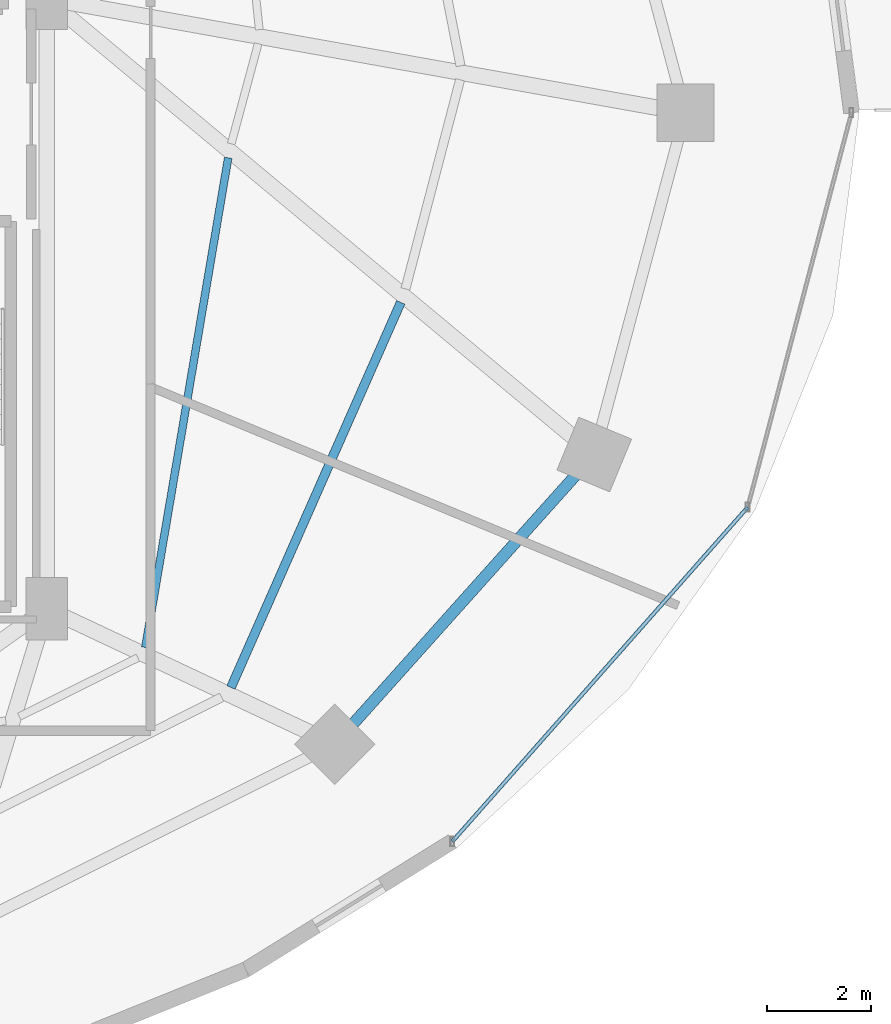
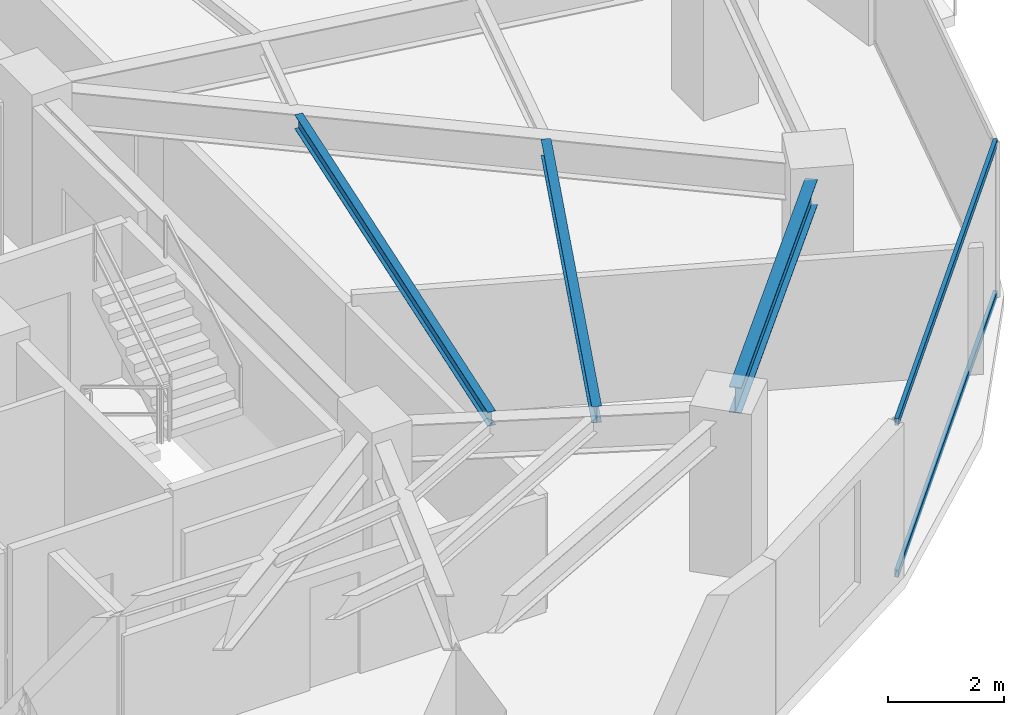
# One storey, part 13 of 29: 3 beams, 2 members, 1 element without a shape of its own.
"""IFC4 building model written with IfcOpenShell, lengths in metres."""

import ifcopenshell
import ifcopenshell.guid

model = None  # the IFC model being written
_history = None  # IfcOwnerHistory: only IFC2X3 demands one
_inside = {}  # id of a spatial element -> (the spatial element, [elements in it])
_under = {}  # id of a project, library or spatial element -> (it, [spatial elements below it])
_declared = {}  # id of a project -> (the project, [libraries it declares])
_typed = {}  # id of a type object -> (the type object, [elements of that type])
_made_of = {}  # id of a material, layer set ... -> (it, [elements and type objects made of it])


def new_model(schema):
    """Start an empty IFC model of exactly this schema.

    Asked for "IFC4X3", IfcOpenShell would pick the latest addendum, in which some entities
    have other attributes; the version numbers below select the first issue.
    IFC2X3 requires an IfcOwnerHistory on every rooted entity: one is made here for all.
    """
    global model, _history
    if schema == "IFC4X3":
        model = ifcopenshell.file(schema_version=(4, 3, 0, 0))
    else:
        model = ifcopenshell.file(schema=schema)
    _inside.clear()
    _under.clear()
    _declared.clear()
    _typed.clear()
    _made_of.clear()
    _history = None
    if model.schema == "IFC2X3":
        org = make("IfcOrganization", Name="unknown")
        user = make(
            "IfcPersonAndOrganization",
            ThePerson=make("IfcPerson", FamilyName="unknown"),
            TheOrganization=org,
        )
        app = make(
            "IfcApplication",
            ApplicationDeveloper=org,
            Version="unknown",
            ApplicationFullName="unknown",
            ApplicationIdentifier="unknown",
        )
        _history = make(
            "IfcOwnerHistory",
            OwningUser=user,
            OwningApplication=app,
            ChangeAction="ADDED",
            CreationDate=0,
        )
    return model


def make(cls, **values):
    """One entity of the class cls with the attributes given. An attribute that is None is left unset."""
    return model.create_entity(
        cls, **{name: value for name, value in values.items() if value is not None}
    )


def rooted(cls, **values):
    """An entity with a GlobalId (a new one), such as an element, a storey or a relation."""
    return make(cls, GlobalId=ifcopenshell.guid.new(), OwnerHistory=_history, **values)


def si_unit(unit_type, name, prefix=None):
    """IfcSIUnit, for example si_unit("LENGTHUNIT", "METRE", prefix="MILLI")."""
    return make("IfcSIUnit", UnitType=unit_type, Prefix=prefix, Name=name)


def assignment(units):
    """IfcUnitAssignment: the units of a project."""
    return None if units is None else make("IfcUnitAssignment", Units=units)


def point(xyz):
    """IfcCartesianPoint."""
    return None if xyz is None else make("IfcCartesianPoint", Coordinates=xyz)


def direction(xyz):
    """IfcDirection."""
    return None if xyz is None else make("IfcDirection", DirectionRatios=xyz)


def frame(location, z_axis=None, x_axis=None):
    """IfcAxis2Placement3D, a coordinate frame: its origin and axes. An axis left out is left unset."""
    return make(
        "IfcAxis2Placement3D",
        Location=point(location),
        Axis=direction(z_axis),
        RefDirection=direction(x_axis),
    )


def frame_2d(location, x_axis=None):
    """IfcAxis2Placement2D, a coordinate frame in the plane: its origin and x axis."""
    return make(
        "IfcAxis2Placement2D", Location=point(location), RefDirection=direction(x_axis)
    )


def origin():
    """The frame at (0, 0, 0) with its axes left unset."""
    return frame((0.0, 0.0, 0.0))


def origin_2d():
    """The frame at (0, 0) in the plane with its x axis left unset."""
    return frame_2d((0.0, 0.0))


def place(relative_to, where):
    """IfcLocalPlacement: puts the frame where relative to a parent placement (None: the world)."""
    return make(
        "IfcLocalPlacement", PlacementRelTo=relative_to, RelativePlacement=where
    )


def context(
    kind, dimensions, precision=None, world=None, true_north=None, identifier=None
):
    """IfcGeometricRepresentationContext, for example the 3D "Model" context."""
    return make(
        "IfcGeometricRepresentationContext",
        ContextIdentifier=identifier,
        ContextType=kind,
        CoordinateSpaceDimension=dimensions,
        Precision=precision,
        WorldCoordinateSystem=world,
        TrueNorth=true_north,
    )


def subcontext(parent, identifier, kind, view, scale=None):
    """IfcGeometricRepresentationSubContext, for example "Body" below "Model"."""
    return make(
        "IfcGeometricRepresentationSubContext",
        ContextIdentifier=identifier,
        ContextType=kind,
        ParentContext=parent,
        TargetScale=scale,
        TargetView=view,
    )


def project(units=None, contexts=None):
    """IfcProject with its units and contexts."""
    return rooted(
        "IfcProject",
        Name="project",
        RepresentationContexts=contexts,
        UnitsInContext=assignment(units),
    )


def spatial(cls, under=None, at=None, **own):
    """A site, building, storey or space (cls), placed at a placement, below another one or the project."""
    s = rooted(cls, ObjectPlacement=at, **own)
    if under is not None:
        _under.setdefault(under.id(), (under, []))[1].append(s)
    return s


def profile(cls, at=None, kind="AREA", **sizes):
    """A parametric profile (cls). Its sizes go by their IFC names, for example OverallWidth=200.0."""
    return make(cls, ProfileType=kind, Position=at, **sizes)


def hollow_rectangle(**sizes):
    """IfcRectangleHollowProfileDef."""
    return profile("IfcRectangleHollowProfileDef", **sizes)


def i_section(**sizes):
    """IfcIShapeProfileDef."""
    return profile("IfcIShapeProfileDef", **sizes)


def extrude(swept, where, along, depth):
    """IfcExtrudedAreaSolid: the profile swept, set in the frame where, extruded along a direction by depth."""
    return make(
        "IfcExtrudedAreaSolid",
        SweptArea=swept,
        Position=where,
        ExtrudedDirection=direction(along),
        Depth=depth,
    )


def shape(context_of_items, identifier, shape_type, items):
    """IfcShapeRepresentation: the items that make up one representation, for example the "Body"."""
    return make(
        "IfcShapeRepresentation",
        ContextOfItems=context_of_items,
        RepresentationIdentifier=identifier,
        RepresentationType=shape_type,
        Items=items,
    )


def material(Name=None, Category=None):
    """IfcMaterial."""
    return make("IfcMaterial", Name=Name, Category=Category)


def material_profile(
    of_material, cross_section, Name=None, Category=None, Priority=None
):
    """IfcMaterialProfile: a cross section and its material."""
    return make(
        "IfcMaterialProfile",
        Name=Name,
        Material=of_material,
        Profile=cross_section,
        Priority=Priority,
        Category=Category,
    )


def profile_set(profiles, Name=None, composite=None):
    """IfcMaterialProfileSet."""
    return make(
        "IfcMaterialProfileSet",
        Name=Name,
        MaterialProfiles=profiles,
        CompositeProfile=composite,
    )


def made_of(thing, what):
    """Note that an element or type object is made of a material, layer set ...; save() writes the relation."""
    if what is not None:
        _made_of.setdefault(what.id(), (what, []))[1].append(thing)
    return thing


def type_object(cls, material=None, **own):
    """A type object (cls), such as IfcWallType, which elements share."""
    return made_of(rooted(cls, **own), material)


def element(
    cls,
    number,
    at=None,
    inside=None,
    cuts=None,
    type_object=None,
    material=None,
    context=None,
    identifier="Body",
    shape_type=None,
    held_by="IfcProductDefinitionShape",
    body=None,
    shapes=None,
    **own,
):
    """One element of the class cls, such as IfcWall. Its Tag is "e" and its number.

    at: its placement. inside: the storey or other place that contains it. cuts: it is an
    opening in that element (IfcRelVoidsElement). A single representation is given by context,
    identifier, shape_type and body (its items); several are given by shapes. held_by: the class
    of the entity that holds the representations. save() writes the other relations.
    """
    e = rooted(cls, Tag="e%d" % number, ObjectPlacement=at, **own)
    if body is not None:
        shapes = [shape(context, identifier, shape_type, body)]
    if shapes is not None:
        e.Representation = make(held_by, Representations=shapes)
    if inside is not None:
        _inside.setdefault(inside.id(), (inside, []))[1].append(e)
    if cuts is not None:
        rooted(
            "IfcRelVoidsElement", RelatingBuildingElement=cuts, RelatedOpeningElement=e
        )
    if type_object is not None:
        _typed.setdefault(type_object.id(), (type_object, []))[1].append(e)
    return made_of(e, material)


def aggregate(whole, parts):
    """IfcRelAggregates: a whole, such as a stair, and the parts it consists of."""
    return rooted("IfcRelAggregates", RelatingObject=whole, RelatedObjects=parts)


def save(model, path):
    """Write the relations noted so far, then the file.

    IfcRelAggregates (storeys below a building ...), IfcRelContainedInSpatialStructure (elements
    in a storey), IfcRelDefinesByType, IfcRelAssociatesMaterial and IfcRelDeclares: one each for
    every whole, place, type object, material and project.
    """
    for whole, parts in _under.values():
        aggregate(whole, parts)
    for where, things in _inside.values():
        rooted(
            "IfcRelContainedInSpatialStructure",
            RelatedElements=things,
            RelatingStructure=where,
        )
    for kind, things in _typed.values():
        rooted("IfcRelDefinesByType", RelatedObjects=things, RelatingType=kind)
    for what, things in _made_of.values():
        rooted("IfcRelAssociatesMaterial", RelatedObjects=things, RelatingMaterial=what)
    for by, libraries in _declared.values():
        rooted("IfcRelDeclares", RelatingContext=by, RelatedDefinitions=libraries)
    model.write(path)


model = new_model("IFC4")

# Units and contexts
model_context = context("Model", 3, precision=1e-05, world=origin(), true_north=direction((0.0, 1.0)))
body_context = subcontext(model_context, "Body", "Model", "MODEL_VIEW")
ifc_project = project(units=[si_unit("LENGTHUNIT", "METRE"), si_unit("AREAUNIT", "SQUARE_METRE"), si_unit("VOLUMEUNIT", "CUBIC_METRE"), si_unit("PLANEANGLEUNIT", "RADIAN"), si_unit("MASSUNIT", "GRAM", prefix="KILO")], contexts=[model_context])

# Site, building, storey
site_placement = place(None, origin())
site = spatial("IfcSite", under=ifc_project, at=site_placement, CompositionType="ELEMENT")
building_placement = place(site_placement, origin())
building = spatial("IfcBuilding", under=site, at=building_placement, Name="Vorneva Point Tower", CompositionType="ELEMENT")
storey_placement = place(building_placement, frame((0.0, 0.0, 82.300048828125)))
storey = spatial("IfcBuildingStorey", under=building, at=storey_placement, Name="L21", CompositionType="ELEMENT", Elevation=82.300048828125)

# Beams
ifc_material_1 = material(Name="Steel S355", Category="steel")
ifc_material_profile_1 = material_profile(ifc_material_1, i_section(OverallWidth=0.14892578125, OverallDepth=0.298095703125, WebThickness=0.005615234375, FlangeThickness=0.008056640625, at=origin_2d()), Name="30B1")
ifc_profile_set_1 = profile_set([ifc_material_profile_1], Name="Steel S355")
beam_type_1 = type_object("IfcBeamType", Name="BM-JST-30B1", PredefinedType="JOIST", material=ifc_profile_set_1)
beam_1_placement = place(storey_placement, frame((50.649658203125, 15.70263671875, 3.091064453125), z_axis=(0.16685295919, 0.985981789897, 0.0), x_axis=(-0.985981789897, 0.16685295919, 0.0)))
element("IfcBeam", 1, at=beam_1_placement, inside=storey, type_object=beam_type_1, Name="L21 Secondary Floor Beam 2.15", PredefinedType="JOIST", context=body_context, shape_type="SweptSolid", body=[
    extrude(i_section(OverallWidth=0.14892578125, OverallDepth=0.298095703125, WebThickness=0.005615234375, FlangeThickness=0.008056640625, at=origin_2d()), origin(), (0.0, 0.0, 1.0), 9.56494140625),
])
ifc_material_profile_2 = material_profile(ifc_material_1, i_section(OverallWidth=0.174072265625, OverallDepth=0.345947265625, WebThickness=0.006103515625, FlangeThickness=0.009033203125, at=origin_2d()), Name="35B1")
ifc_profile_set_2 = profile_set([ifc_material_profile_2], Name="Steel S355")
beam_type_2 = type_object("IfcBeamType", Name="BM-SEC-35B1", PredefinedType="BEAM", material=ifc_profile_set_2)
beam_2_placement = place(storey_placement, frame((52.298583984375, 14.931884765625, 3.06689453125), z_axis=(0.403487441762, 0.91498518258, 0.0), x_axis=(-0.91498518258, 0.403487441762, 0.0)))
element("IfcBeam", 2, at=beam_2_placement, inside=storey, type_object=beam_type_2, Name="L21 Secondary Floor Beam 1.15", PredefinedType="BEAM", context=body_context, shape_type="SweptSolid", body=[
    extrude(i_section(OverallWidth=0.174072265625, OverallDepth=0.345947265625, WebThickness=0.006103515625, FlangeThickness=0.009033203125, at=origin_2d()), origin(), (0.0, 0.0, 1.0), 8.105712890625),
])
ifc_material_profile_3 = material_profile(ifc_material_1, i_section(OverallWidth=0.219970703125, OverallDepth=0.54296875, WebThickness=0.009521484375, FlangeThickness=0.013427734375, at=origin_2d()), Name="55B1")
ifc_profile_set_3 = profile_set([ifc_material_profile_3], Name="Steel S355")
beam_type_3 = type_object("IfcBeamType", Name="BM-SPN-55B1", PredefinedType="SPANDREL", material=ifc_profile_set_3)
beam_3_placement = place(storey_placement, frame((54.65576171875, 14.236328125, 2.968505859375), z_axis=(0.667073815664, 0.744991627105, 0.0), x_axis=(-0.744991627105, 0.667073815664, 0.0)))
element("IfcBeam", 3, at=beam_3_placement, inside=storey, type_object=beam_type_3, Name="L21 Perimeter Spandrel Ring Beam 15", PredefinedType="SPANDREL", context=body_context, shape_type="SweptSolid", body=[
    extrude(i_section(OverallWidth=0.219970703125, OverallDepth=0.54296875, WebThickness=0.009521484375, FlangeThickness=0.013427734375, at=origin_2d()), origin(), (0.0, 0.0, 1.0), 6.420166015625),
])

# Curtain wall, members
ifc_material_2 = material(Name="Pale anodised aluminium", Category="aluminium")
curtain_wall_type = type_object("IfcCurtainWallType", Name="CW-HTL-SYS", PredefinedType="NOTDEFINED", material=ifc_material_2)
curtain_wall_placement = place(storey_placement, origin())
curtain_wall = element("IfcCurtainWall", 4, at=curtain_wall_placement, inside=storey, type_object=curtain_wall_type, Name="L21 Unitised Curtain Wall CW-L21-R04", PredefinedType="NOTDEFINED")
ifc_material_profile_4 = material_profile(ifc_material_2, hollow_rectangle(XDim=0.074951171875, YDim=0.14990234375, WallThickness=0.00390625, at=origin_2d()), Name="AL-TRN 150x75x4")
ifc_profile_set_4 = profile_set([ifc_material_profile_4], Name="Pale anodised aluminium")
member_type = type_object("IfcMemberType", Name="CW-TRN-150", PredefinedType="USERDEFINED", material=ifc_profile_set_4)
member_1_placement = place(storey_placement, frame((56.5615234375, 11.9638671875, 0.02001953125), z_axis=(0.662137326257, 0.74938251993, 0.0), x_axis=(-0.74938251993, 0.662137326257, 0.0)))
member_1 = element("IfcMember", 5, at=member_1_placement, type_object=member_type, Name="CW-L21-R04 Transom 01.1", ObjectType="TRANSOM", PredefinedType="USERDEFINED", context=body_context, shape_type="SweptSolid", body=[
    extrude(hollow_rectangle(XDim=0.074951171875, YDim=0.14990234375, WallThickness=0.00390625, at=origin_2d()), origin(), (0.0, 0.0, 1.0), 8.59375),
])
member_2_placement = place(storey_placement, frame((56.5615234375, 11.9638671875, 3.219970703125), z_axis=(0.662137326257, 0.74938251993, 0.0), x_axis=(-0.74938251993, 0.662137326257, 0.0)))
member_2 = element("IfcMember", 6, at=member_2_placement, type_object=member_type, Name="CW-L21-R04 Transom 01.2", ObjectType="TRANSOM", PredefinedType="USERDEFINED", context=body_context, shape_type="SweptSolid", body=[
    extrude(hollow_rectangle(XDim=0.074951171875, YDim=0.14990234375, WallThickness=0.00390625, at=origin_2d()), origin(), (0.0, 0.0, 1.0), 8.59375),
])
aggregate(curtain_wall, [member_1, member_2])

save(model, "model.ifc")
